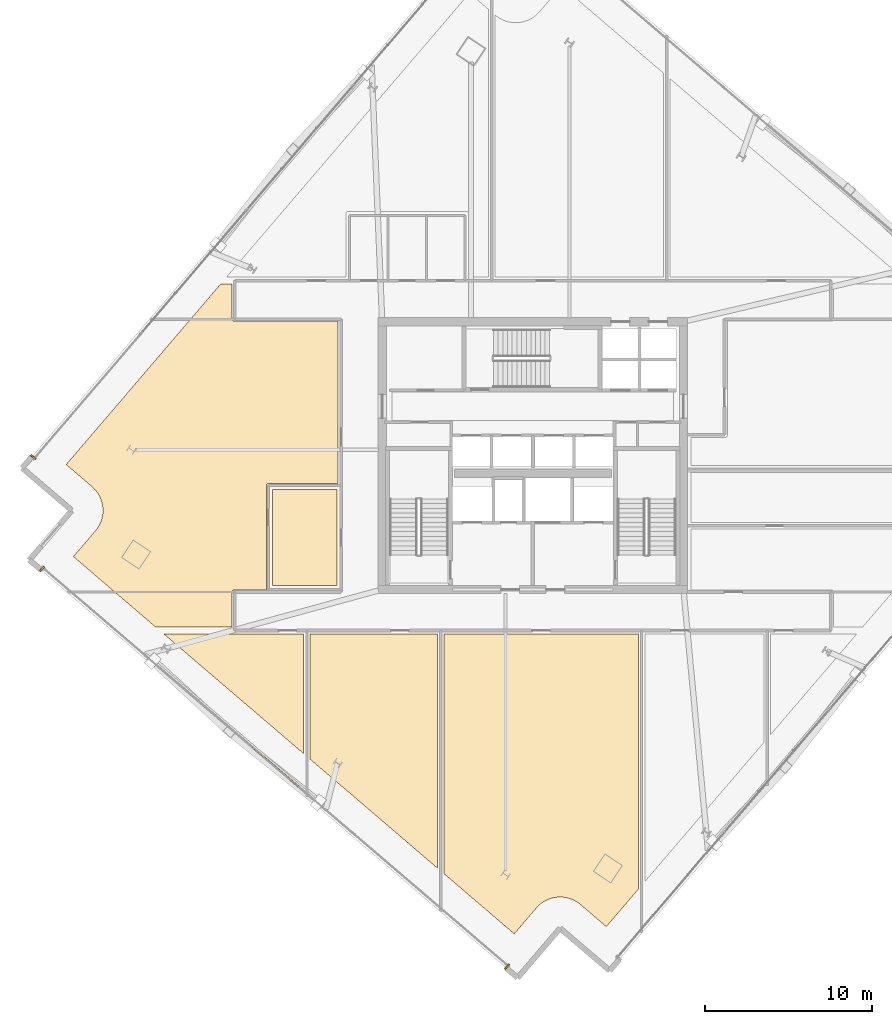
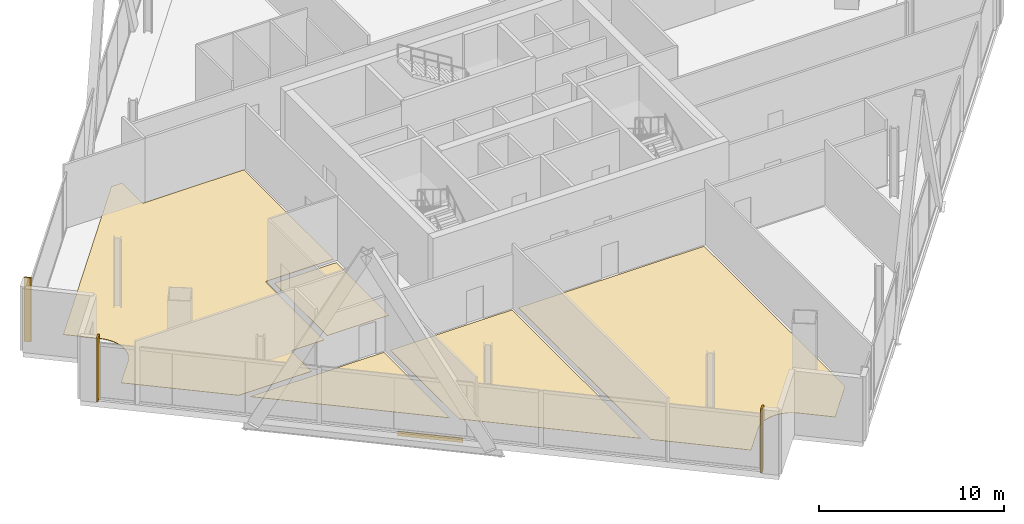
# One storey, part 22 of 26: 9 coverings.
"""IFC4 building model written with IfcOpenShell, lengths in metres."""

from ifc_helpers import new_model, si_unit, direction, frame, origin, origin_2d, place, context, subcontext, project, spatial, polyline, rectangle, outline, extrude, source, transform, mapped, material, layer, layer_set, type_object, element, save


model = new_model("IFC4")

# Units and contexts
model_context = context("Model", 3, precision=1e-05, world=origin(), true_north=direction((0.0, 1.0)))
body_context = subcontext(model_context, "Body", "Model", "MODEL_VIEW")
ifc_project = project(units=[si_unit("LENGTHUNIT", "METRE"), si_unit("AREAUNIT", "SQUARE_METRE"), si_unit("VOLUMEUNIT", "CUBIC_METRE"), si_unit("PLANEANGLEUNIT", "RADIAN"), si_unit("MASSUNIT", "GRAM", prefix="KILO")], contexts=[model_context])

# Site, building, storey
site_placement = place(None, origin())
site = spatial("IfcSite", under=ifc_project, at=site_placement, CompositionType="ELEMENT")
building_placement = place(site_placement, origin())
building = spatial("IfcBuilding", under=site, at=building_placement, Name="Haldenkirk Collegiate Tower", CompositionType="ELEMENT")
storey_placement = place(building_placement, frame((0.0, 0.0, 193.949951171875)))
storey = spatial("IfcBuildingStorey", under=building, at=storey_placement, Name="L48", CompositionType="ELEMENT", Elevation=193.949951171875)

# Coverings
ifc_material_1 = material(Name="Polished collegiate terrazzo", Category="concrete")
ifc_layer_1 = layer(ifc_material_1, 0.02490234375)
ifc_layer_set_1 = layer_set([ifc_layer_1], Name="Polished collegiate terrazzo")
covering_type_1 = type_object("IfcCoveringType", Name="COV-FLOOR-TERRAZZO", PredefinedType="FLOORING", material=ifc_layer_set_1)
covering_1_placement = place(storey_placement, origin())
element("IfcCovering", 1, at=covering_1_placement, inside=storey, type_object=covering_type_1, Name="L48 academic room finish 02", PredefinedType="FLOORING", context=body_context, shape_type="SweptSolid", body=[
    extrude(outline(polyline([(13.94580078125, 15.35009765625), (22.300048828125, 15.35009765625), (22.300048828125, 8.2021484375), (13.94580078125, 15.35009765625)])), origin(), (0.0, 0.0, 1.0), 0.025146484375),
])
covering_2_placement = place(storey_placement, origin())
element("IfcCovering", 2, at=covering_2_placement, inside=storey, type_object=covering_type_1, Name="L48 academic room finish 04", PredefinedType="FLOORING", context=body_context, shape_type="SweptSolid", body=[
    extrude(outline(polyline([(38.03857421875, -0.418212890625), (38.027099609375, -0.41552734375), (37.85791015625, -0.386962890625), (37.84619140625, -0.385498046875), (37.6748046875, -0.37353515625), (37.6630859375, -0.373291015625), (37.491455078125, -0.378173828125), (37.4794921875, -0.379150390625), (37.309326171875, -0.40087890625), (37.297607421875, -0.40283203125), (37.13037109375, -0.441162109375), (37.118896484375, -0.4443359375), (36.9560546875, -0.498779296875), (36.945068359375, -0.503173828125), (36.788330078125, -0.573486328125), (36.77783203125, -0.57861328125), (36.62890625, -0.6640625), (36.618896484375, -0.67041015625), (36.47900390625, -0.769775390625), (36.4697265625, -0.777099609375), (36.340087890625, -0.8896484375), (36.33154296875, -0.89794921875), (36.213623046875, -1.022705078125), (36.209716796875, -1.027099609375), (34.889892578125, -2.569580078125), (30.699951171875, 1.01513671875), (30.699951171875, 15.35009765625), (42.300048828125, 15.35009765625), (42.300048828125, 0.092041015625), (40.388671875, -2.1416015625), (38.84619140625, -0.822021484375), (38.841796875, -0.818359375), (38.705810546875, -0.713134765625), (38.6962890625, -0.70654296875), (38.55078125, -0.615234375), (38.54052734375, -0.609375), (38.38671875, -0.53271484375), (38.376220703125, -0.528076171875), (38.215576171875, -0.466796875), (38.204345703125, -0.463134765625), (38.03857421875, -0.418212890625)])), origin(), (0.0, 0.0, 1.0), 0.025146484375),
])
covering_3_placement = place(storey_placement, origin())
element("IfcCovering", 3, at=covering_3_placement, inside=storey, type_object=covering_type_1, Name="L48 academic room finish 10", PredefinedType="FLOORING", context=body_context, shape_type="SweptSolid", body=[
    extrude(outline(polyline([(9.873779296875, 21.505615234375), (9.87744140625, 21.51025390625), (9.982421875, 21.64599609375), (9.9892578125, 21.65576171875), (10.08056640625, 21.80126953125), (10.086181640625, 21.8115234375), (10.162841796875, 21.965087890625), (10.16748046875, 21.975830078125), (10.228759765625, 22.136474609375), (10.232421875, 22.147705078125), (10.277587890625, 22.3134765625), (10.280029296875, 22.32470703125), (10.308837890625, 22.494140625), (10.310302734375, 22.505859375), (10.322021484375, 22.67724609375), (10.322509765625, 22.68896484375), (10.3173828125, 22.860595703125), (10.31640625, 22.872314453125), (10.294921875, 23.042724609375), (10.292724609375, 23.05419921875), (10.25439453125, 23.2216796875), (10.251220703125, 23.233154296875), (10.19677734375, 23.39599609375), (10.1923828125, 23.406982421875), (10.122314453125, 23.563720703125), (10.116943359375, 23.573974609375), (10.03173828125, 23.72314453125), (10.025390625, 23.733154296875), (9.92578125, 23.873046875), (9.918701171875, 23.88232421875), (9.805908203125, 24.011962890625), (9.797607421875, 24.0205078125), (9.6728515625, 24.13818359375), (9.66845703125, 24.142333984375), (8.1259765625, 25.4619140625), (17.356201171875, 36.25), (18.030029296875, 36.25), (18.030029296875, 34.14990234375), (18.030517578125, 34.13818359375), (18.0322265625, 34.126708984375), (18.03515625, 34.115234375), (18.0390625, 34.10400390625), (18.044189453125, 34.093505859375), (18.05029296875, 34.083251953125), (18.05712890625, 34.073974609375), (18.065185546875, 34.065185546875), (18.073974609375, 34.05712890625), (18.083251953125, 34.05029296875), (18.093505859375, 34.044189453125), (18.10400390625, 34.0390625), (18.115234375, 34.03515625), (18.126708984375, 34.0322265625), (18.13818359375, 34.030517578125), (18.14990234375, 34.030029296875), (24.35009765625, 34.030029296875), (24.35009765625, 24.320068359375), (20.199951171875, 24.320068359375), (20.188232421875, 24.3193359375), (20.176513671875, 24.317626953125), (20.165283203125, 24.314697265625), (20.154052734375, 24.310791015625), (20.143310546875, 24.305908203125), (20.13330078125, 24.2998046875), (20.123779296875, 24.292724609375), (20.114990234375, 24.284912109375), (20.107177734375, 24.276123046875), (20.10009765625, 24.2666015625), (20.09423828125, 24.256591796875), (20.089111328125, 24.245849609375), (20.085205078125, 24.23486328125), (20.082275390625, 24.223388671875), (20.08056640625, 24.2119140625), (20.080078125, 24.199951171875), (20.080078125, 18.0), (20.08056640625, 17.98828125), (20.082275390625, 17.9765625), (20.083984375, 17.969970703125), (18.14990234375, 17.969970703125), (18.13818359375, 17.969482421875), (18.126708984375, 17.9677734375), (18.115234375, 17.96484375), (18.10400390625, 17.9609375), (18.093505859375, 17.955810546875), (18.083251953125, 17.94970703125), (18.073974609375, 17.94287109375), (18.065185546875, 17.934814453125), (18.05712890625, 17.926025390625), (18.05029296875, 17.916748046875), (18.044189453125, 17.906494140625), (18.0390625, 17.89599609375), (18.03515625, 17.884765625), (18.0322265625, 17.873291015625), (18.030517578125, 17.86181640625), (18.030029296875, 17.85009765625), (18.030029296875, 15.75), (13.478271484375, 15.75), (8.553955078125, 19.963134765625), (9.873779296875, 21.505615234375)])), origin(), (0.0, 0.0, 1.0), 0.025146484375),
])
ifc_material_2 = material(Name="Engineered collegiate oak acoustic flooring", Category="wood")
ifc_layer_2 = layer(ifc_material_2, 0.02197265625)
ifc_layer_set_2 = layer_set([ifc_layer_2], Name="Engineered collegiate oak acoustic flooring")
covering_type_2 = type_object("IfcCoveringType", Name="COV-FLOOR-TIMBER", PredefinedType="FLOORING", material=ifc_layer_set_2)
covering_4_placement = place(storey_placement, origin())
element("IfcCovering", 4, at=covering_4_placement, inside=storey, type_object=covering_type_2, Name="L48 academic room finish 01", PredefinedType="FLOORING", context=body_context, shape_type="SweptSolid", body=[
    extrude(outline(polyline([(20.43994140625, 18.239990234375), (20.43994140625, 23.9599609375), (24.300048828125, 23.9599609375), (24.300048828125, 18.239990234375), (20.43994140625, 18.239990234375)])), origin(), (0.0, 0.0, 1.0), 0.02197265625),
])
covering_5_placement = place(storey_placement, origin())
element("IfcCovering", 5, at=covering_5_placement, inside=storey, type_object=covering_type_2, Name="L48 academic room finish 03", PredefinedType="FLOORING", context=body_context, shape_type="SweptSolid", body=[
    extrude(outline(polyline([(22.699951171875, 7.85986328125), (22.699951171875, 15.35009765625), (30.300048828125, 15.35009765625), (30.300048828125, 1.357421875), (22.699951171875, 7.85986328125)])), origin(), (0.0, 0.0, 1.0), 0.02197265625),
])
ifc_material_3 = material(Name="Anodised architectural bronze aluminium", Category="aluminium")
ifc_layer_3 = layer(ifc_material_3, 0.06005859375)
ifc_layer_set_3 = layer_set([ifc_layer_3], Name="Anodised architectural bronze aluminium")
covering_type_3 = type_object("IfcCoveringType", Name="COV-CLAD-BRONZE-60", PredefinedType="CLADDING", material=ifc_layer_set_3)
shared_shape_1 = source(origin(), body_context, "Body", "SweptSolid", [
    extrude(rectangle(XDim=3.60009765625, YDim=0.06005859375, at=origin_2d()), origin(), (0.0, 0.0, 1.0), 0.300048828125),
])
covering_6_placement = place(storey_placement, frame((20.623291015625, 7.41259765625, -0.2998046875), z_axis=(0.0, 0.0, 1.0), x_axis=(-0.759838925793, 0.650111380342, 0.0)))
element("IfcCovering", 6, at=covering_6_placement, inside=storey, type_object=covering_type_3, Name="L48 architectural bronze spandrel cladding W", PredefinedType="CLADDING", context=body_context, shape_type="MappedRepresentation", body=[
    mapped(shared_shape_1, transform((0.0, 0.0, 0.0), x_axis=(1.0, 0.0, 0.0), y_axis=(0.0, 1.0, 0.0), z_axis=(0.0, 0.0, 1.0), scale=1.0)),
])
shared_shape_2 = source(origin(), body_context, "Body", "SweptSolid", [
    extrude(rectangle(XDim=0.10009765625, YDim=0.3798828125, at=origin_2d()), origin(), (0.0, 0.0, 1.0), 4.219970703125),
])
for number, where, z_axis, x_axis, name in (
    (7, (6.162353515625, 25.905029296875, 0.0), (0.0, 0.0, 1.0), (0.650111380342, 0.759838925793, 0.0), "L48 recessed curtain-wall bronze jamb closure NJL"),
    (8, (34.447021484375, -4.533203125, 0.0), (0.0, 0.0, 1.0), (-0.759838925793, 0.650111380342, 0.0), "L48 recessed curtain-wall bronze jamb closure WJL"),
    (9, (6.6826171875, 19.2216796875, 0.0), (0.0, 0.0, 1.0), (-0.759838925793, 0.650111380342, 0.0), "L48 recessed curtain-wall bronze jamb closure WJR"),
):
    element("IfcCovering", number, at=place(storey_placement, frame(where, z_axis=z_axis, x_axis=x_axis)), inside=storey, type_object=covering_type_3, Name=name, PredefinedType="CLADDING", context=body_context, shape_type="MappedRepresentation", body=[
        mapped(shared_shape_2, transform((0.0, 0.0, 0.0), x_axis=(1.0, 0.0, 0.0), y_axis=(0.0, 1.0, 0.0), z_axis=(0.0, 0.0, 1.0), scale=1.0)),
    ])

save(model, "model.ifc")
